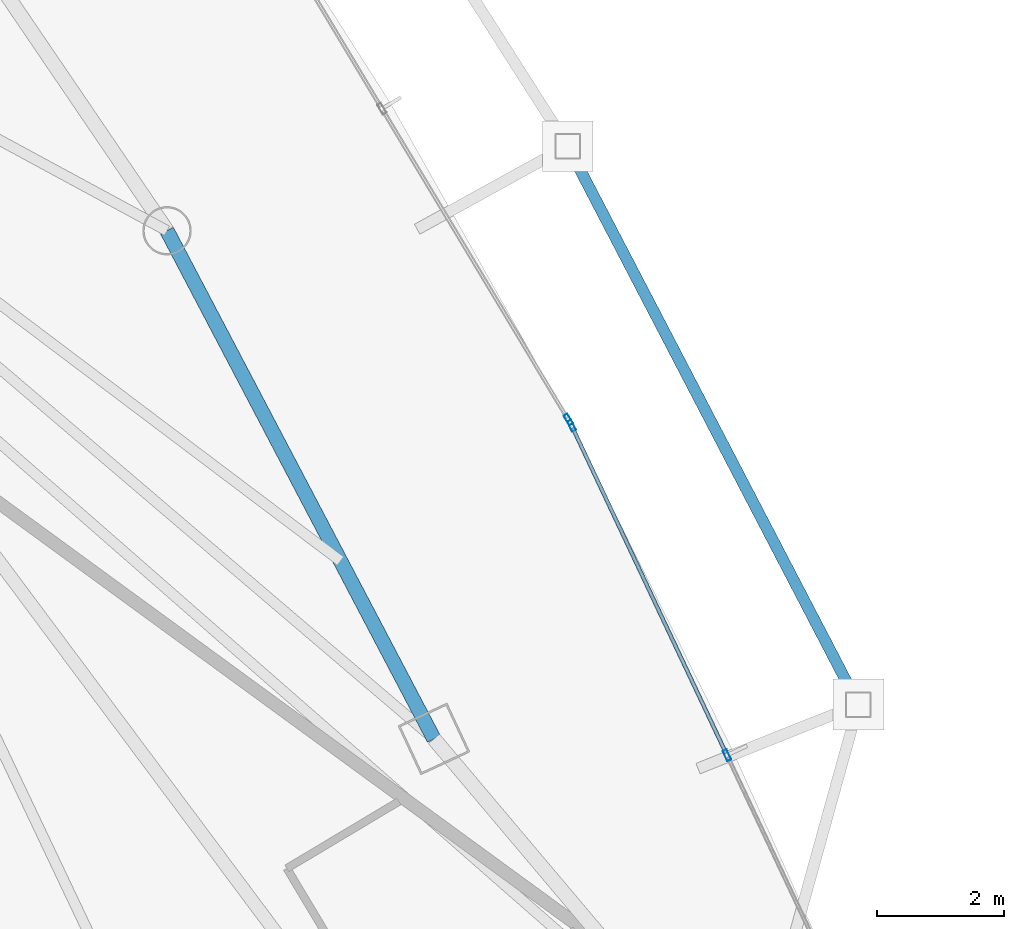
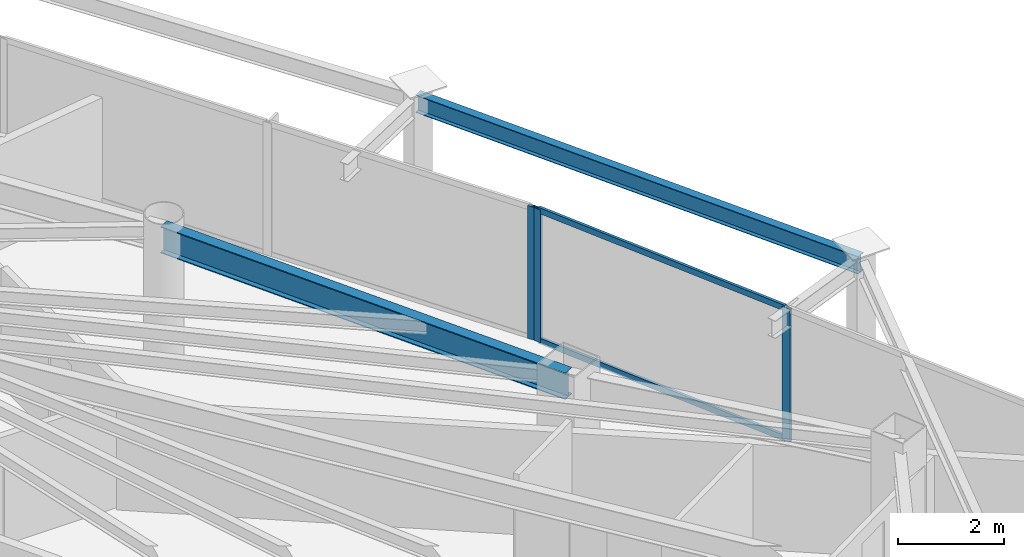
# One storey, part 16 of 33: 5 members, 2 beams, 2 elements without a shape of their own.
"""IFC4 building model written with IfcOpenShell, lengths in metres."""

from ifc_helpers import new_model, si_unit, direction, frame, origin, origin_2d, place, context, subcontext, project, spatial, hollow_rectangle, i_section, extrude, material, layer, layer_set, material_profile, profile_set, type_object, element, aggregate, save


model = new_model("IFC4")

# Units and contexts
model_context = context("Model", 3, precision=1e-05, world=origin(), true_north=direction((0.0, 1.0)))
body_context = subcontext(model_context, "Body", "Model", "MODEL_VIEW")
ifc_project = project(units=[si_unit("LENGTHUNIT", "METRE"), si_unit("AREAUNIT", "SQUARE_METRE"), si_unit("VOLUMEUNIT", "CUBIC_METRE"), si_unit("PLANEANGLEUNIT", "RADIAN"), si_unit("MASSUNIT", "GRAM", prefix="KILO")], contexts=[model_context])

# Site, building, storey
site_placement = place(None, origin())
site = spatial("IfcSite", under=ifc_project, at=site_placement, CompositionType="ELEMENT")
building_placement = place(site_placement, origin())
building = spatial("IfcBuilding", under=site, at=building_placement, Name="Orvanel Arch Residences", CompositionType="ELEMENT")
storey_placement = place(building_placement, frame((0.0, 0.0, 123.199951171875)))
storey = spatial("IfcBuildingStorey", under=building, at=storey_placement, Name="L34", CompositionType="ELEMENT", Elevation=123.199951171875)

# Curtain wall, members
ifc_material_1 = material(Name="Bronze-anodised aluminium AA6063-T6", Category="aluminium")
ifc_layer = layer(ifc_material_1, 0.179931640625)
ifc_layer_set = layer_set([ifc_layer], Name="Bronze-anodised aluminium AA6063-T6")
curtain_wall_type = type_object("IfcCurtainWallType", Name="CW3-MID-SYS", PredefinedType="NOTDEFINED", material=ifc_layer_set)
curtain_wall_1_placement = place(storey_placement, origin())
curtain_wall_1 = element("IfcCurtainWall", 1, at=curtain_wall_1_placement, inside=storey, type_object=curtain_wall_type, Name="L34 CW3-MID-SYS Unitised Curtain Wall", PredefinedType="NOTDEFINED")
ifc_material_profile_1 = material_profile(ifc_material_1, hollow_rectangle(XDim=0.070068359375, YDim=0.179931640625, WallThickness=0.00439453125, at=origin_2d()), Name="ALU180x70x4.5")
ifc_profile_set_1 = profile_set([ifc_material_profile_1], Name="Bronze-anodised aluminium AA6063-T6")
member_type_1 = type_object("IfcMemberType", Name="MUL-180x70", PredefinedType="MULLION", material=ifc_profile_set_1)
member_1_placement = place(storey_placement, frame((54.24609375, 19.385009765625, 0.0), z_axis=(0.0, 0.0, 1.0), x_axis=(-0.904551426474, -0.426364535184, 0.0)))
member_1 = element("IfcMember", 2, at=member_1_placement, type_object=member_type_1, Name="CW-S3 mullion 2", PredefinedType="MULLION", context=body_context, shape_type="SweptSolid", body=[
    extrude(hollow_rectangle(XDim=0.070068359375, YDim=0.179931640625, WallThickness=0.00439453125, at=origin_2d()), origin(), (0.0, 0.0, 1.0), 3.06005859375),
])
member_2_placement = place(storey_placement, frame((51.801025390625, 24.572265625, 0.0), z_axis=(0.0, 0.0, 1.0), x_axis=(-0.904551426474, -0.426364535184, 0.0)))
member_2 = element("IfcMember", 3, at=member_2_placement, type_object=member_type_1, Name="CW-S3 mullion 3", PredefinedType="MULLION", context=body_context, shape_type="SweptSolid", body=[
    extrude(hollow_rectangle(XDim=0.070068359375, YDim=0.179931640625, WallThickness=0.00439453125, at=origin_2d()), origin(), (0.0, 0.0, 1.0), 3.06005859375),
])

# Curtain wall, member
curtain_wall_2_placement = place(storey_placement, origin())
curtain_wall_2 = element("IfcCurtainWall", 4, at=curtain_wall_2_placement, inside=storey, type_object=curtain_wall_type, Name="L34 CW3-MID-SYS Unitised Curtain Wall", PredefinedType="NOTDEFINED")
member_3_placement = place(storey_placement, frame((51.7490234375, 24.6689453125, 0.0), z_axis=(0.0, 0.0, 1.0), x_axis=(-0.857515978834, -0.514457331608, 0.0)))
member_3 = element("IfcMember", 5, at=member_3_placement, type_object=member_type_1, Name="CW-S3 mullion 1", PredefinedType="MULLION", context=body_context, shape_type="SweptSolid", body=[
    extrude(hollow_rectangle(XDim=0.070068359375, YDim=0.179931640625, WallThickness=0.00439453125, at=origin_2d()), origin(), (0.0, 0.0, 1.0), 3.06005859375),
])
aggregate(curtain_wall_2, [member_3])

# Beams
ifc_material_2 = material(Name="Structural steel AS/NZS 3679.1 Grade 300 (300 MPa)", Category="steel")
ifc_material_profile_2 = material_profile(ifc_material_2, i_section(OverallWidth=0.177978515625, OverallDepth=0.406005859375, WebThickness=0.0078125, FlangeThickness=0.0126953125, at=origin_2d()), Name="410UB59.7")
ifc_profile_set_2 = profile_set([ifc_material_profile_2], Name="Structural steel AS/NZS 3679.1 Grade 300 (300 MPa)")
beam_type_1 = type_object("IfcBeamType", Name="OB-410UB-EXT", PredefinedType="SPANDREL", material=ifc_profile_set_2)
beam_1_placement = place(storey_placement, frame((56.31494140625, 20.181884765625, 2.85693359375), z_axis=(-0.461640485936, 0.887067112311, 0.0), x_axis=(-0.887067112311, -0.461640485936, 0.0)))
element("IfcBeam", 6, at=beam_1_placement, inside=storey, type_object=beam_type_1, Name="L34 Outer Perimeter Floor Ring Beam 09", PredefinedType="SPANDREL", context=body_context, shape_type="SweptSolid", body=[
    extrude(i_section(OverallWidth=0.177978515625, OverallDepth=0.406005859375, WebThickness=0.0078125, FlangeThickness=0.0126953125, at=origin_2d()), origin(), (0.0, 0.0, 1.0), 9.91015625),
])
ifc_material_profile_3 = material_profile(ifc_material_2, i_section(OverallWidth=0.22900390625, OverallDepth=0.612060546875, WebThickness=0.011962890625, FlangeThickness=0.01953125, at=origin_2d()), Name="610UB125")
ifc_profile_set_3 = profile_set([ifc_material_profile_3], Name="Structural steel AS/NZS 3679.1 Grade 300 (300 MPa)")
beam_type_2 = type_object("IfcBeamType", Name="SP-610UB", PredefinedType="SPANDREL", material=ifc_profile_set_3)
beam_2_placement = place(storey_placement, frame((49.633056640625, 19.64208984375, 2.754150390625), z_axis=(-0.465064762793, 0.885276660942, 0.0), x_axis=(-0.885276660942, -0.465064762793, 0.0)))
element("IfcBeam", 7, at=beam_2_placement, inside=storey, type_object=beam_type_2, Name="L34 Perimeter Spandrel Beam 11", PredefinedType="SPANDREL", context=body_context, shape_type="SweptSolid", body=[
    extrude(i_section(OverallWidth=0.22900390625, OverallDepth=0.612060546875, WebThickness=0.011962890625, FlangeThickness=0.01953125, at=origin_2d()), origin(), (0.0, 0.0, 1.0), 9.03564453125),
])

# Member
ifc_material_profile_4 = material_profile(ifc_material_1, hollow_rectangle(XDim=0.06005859375, YDim=0.135009765625, WallThickness=0.00390625, at=origin_2d()), Name="ALU135x60x4")
ifc_profile_set_4 = profile_set([ifc_material_profile_4], Name="Bronze-anodised aluminium AA6063-T6")
member_type_2 = type_object("IfcMemberType", Name="TRN-135x60", PredefinedType="USERDEFINED", material=ifc_profile_set_4)
member_4_placement = place(storey_placement, frame((54.23095703125, 19.416748046875, 0.030029296875), z_axis=(-0.426336615454, 0.904564586043, 0.0), x_axis=(-0.904564586043, -0.426336615454, 0.0)))
member_4 = element("IfcMember", 8, at=member_4_placement, type_object=member_type_2, Name="CW-S3 transom 2.1", ObjectType="TRANSOM", PredefinedType="USERDEFINED", context=body_context, shape_type="SweptSolid", body=[
    extrude(hollow_rectangle(XDim=0.06005859375, YDim=0.135009765625, WallThickness=0.00390625, at=origin_2d()), origin(), (0.0, 0.0, 1.0), 5.66455078125),
])

member_5_placement = place(storey_placement, frame((54.23095703125, 19.416748046875, 3.030029296875), z_axis=(-0.426336615454, 0.904564586043, 0.0), x_axis=(-0.904564586043, -0.426336615454, 0.0)))
member_5 = element("IfcMember", 9, at=member_5_placement, type_object=member_type_2, Name="CW-S3 transom 2.2", ObjectType="TRANSOM", PredefinedType="USERDEFINED", context=body_context, shape_type="SweptSolid", body=[
    extrude(hollow_rectangle(XDim=0.06005859375, YDim=0.135009765625, WallThickness=0.00390625, at=origin_2d()), origin(), (0.0, 0.0, 1.0), 5.66455078125),
])

aggregate(curtain_wall_1, [member_1, member_2, member_4, member_5])

save(model, "model.ifc")
